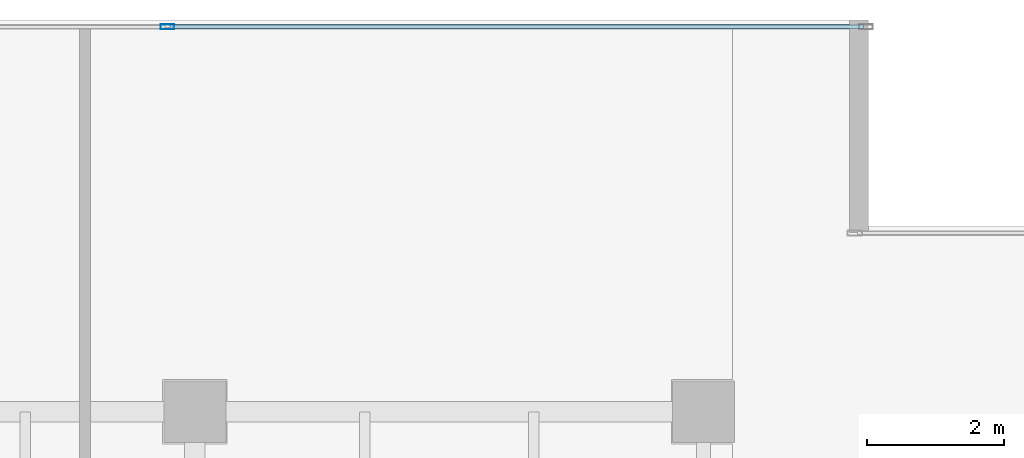
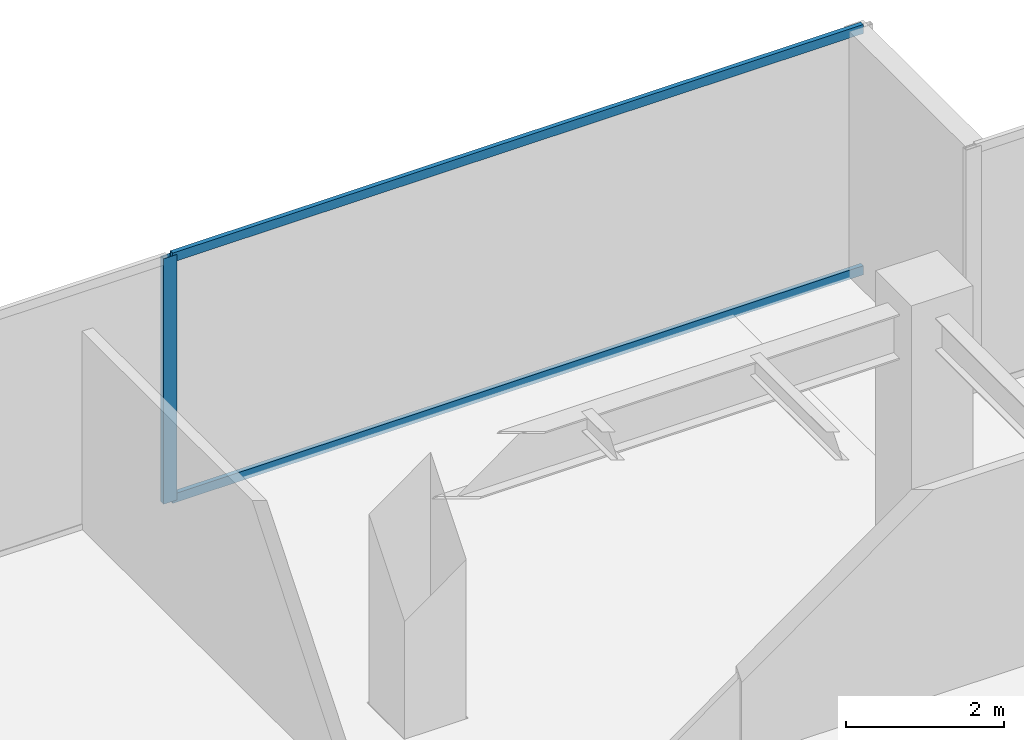
# One storey, part 20 of 33: 3 members, 1 element without a shape of its own.
"""IFC4 building model written with IfcOpenShell, lengths in metres."""

from ifc_helpers import new_model, si_unit, direction, frame, origin, origin_2d, place, context, subcontext, project, spatial, hollow_rectangle, extrude, source, transform, mapped, material, layer, layer_set, material_profile, profile_set, type_object, type_shapes, element, aggregate, save


model = new_model("IFC4")

# Units and contexts
model_context = context("Model", 3, precision=1e-05, world=origin(), true_north=direction((0.0, 1.0)))
body_context = subcontext(model_context, "Body", "Model", "MODEL_VIEW")
ifc_project = project(units=[si_unit("LENGTHUNIT", "METRE"), si_unit("AREAUNIT", "SQUARE_METRE"), si_unit("VOLUMEUNIT", "CUBIC_METRE"), si_unit("PLANEANGLEUNIT", "RADIAN"), si_unit("MASSUNIT", "GRAM", prefix="KILO")], contexts=[model_context])

# Site, building, storey
site_placement = place(None, origin())
site = spatial("IfcSite", under=ifc_project, at=site_placement, CompositionType="ELEMENT")
building_placement = place(site_placement, origin())
building = spatial("IfcBuilding", under=site, at=building_placement, Name="Haelvirn Gate Laboratories", CompositionType="ELEMENT")
storey_placement = place(building_placement, frame((0.0, 0.0, 166.60009765625)))
storey = spatial("IfcBuildingStorey", under=building, at=storey_placement, Name="L40", CompositionType="ELEMENT", Elevation=166.60009765625)

# Curtain wall, members
ifc_material_1 = material(Name="Anodised bronze unitised aluminium & triple low-E glass", Category="aluminium")
ifc_layer = layer(ifc_material_1, 0.179931640625, Name="CW-SYS-3")
ifc_layer_set = layer_set([ifc_layer], Name="Anodised bronze unitised aluminium & triple low-E glass")
curtain_wall_type = type_object("IfcCurtainWallType", Name="CW-SYS-3", PredefinedType="NOTDEFINED", material=ifc_layer_set)
curtain_wall_placement = place(storey_placement, origin())
curtain_wall = element("IfcCurtainWall", 1, at=curtain_wall_placement, inside=storey, type_object=curtain_wall_type, Name="L40 Unitised Curtain Wall CW-L40-P0-E10-1", PredefinedType="NOTDEFINED")
ifc_material_2 = material(Name="Extruded aluminium 6063-T6 (anodised bronze)", Category="aluminium")
ifc_material_profile_1 = material_profile(ifc_material_2, hollow_rectangle(XDim=0.06494140625, YDim=0.139892578125, WallThickness=0.00390625, at=origin_2d()), Name="CWT-140x65x4")
ifc_profile_set_1 = profile_set([ifc_material_profile_1], Name="Extruded aluminium 6063-T6 (anodised bronze)")
member_type_1 = type_object("IfcMemberType", Name="CWT-T140", PredefinedType="USERDEFINED", material=ifc_profile_set_1)
shared_shape_1 = source(origin(), body_context, "Body", "SweptSolid", [
    extrude(hollow_rectangle(XDim=0.06494140625, YDim=0.139892578125, WallThickness=0.00390625, at=origin_2d()), origin(), (0.0, 0.0, 1.0), 10.087646484375),
])
type_shapes(member_type_1, [shared_shape_1])
member_1_placement = place(storey_placement, frame((59.637451171875, 47.199951171875, 0.032470703125), z_axis=(1.0, 0.0, 0.0), x_axis=(0.0, 1.0, 0.0)))
member_1 = element("IfcMember", 2, at=member_1_placement, type_object=member_type_1, Name="CW3 transom 2.1", ObjectType="TRANSOM", PredefinedType="USERDEFINED", context=body_context, shape_type="MappedRepresentation", body=[
    mapped(shared_shape_1, transform((0.0, 0.0, 0.0), scale=1.0)),
])
member_2_placement = place(storey_placement, frame((59.637451171875, 47.199951171875, 3.75732421875), z_axis=(1.0, 0.0, 0.0), x_axis=(0.0, 1.0, 0.0)))
member_2 = element("IfcMember", 3, at=member_2_placement, type_object=member_type_1, Name="CW3 transom 2.2", ObjectType="TRANSOM", PredefinedType="USERDEFINED", context=body_context, shape_type="MappedRepresentation", body=[
    mapped(shared_shape_1, transform((0.0, 0.0, 0.0), scale=1.0)),
])
ifc_material_profile_2 = material_profile(ifc_material_2, hollow_rectangle(XDim=0.074951171875, YDim=0.199951171875, WallThickness=0.0048828125, at=origin_2d()), Name="CWM-200x75x5")
ifc_profile_set_2 = profile_set([ifc_material_profile_2], Name="Extruded aluminium 6063-T6 (anodised bronze)")
member_type_2 = type_object("IfcMemberType", Name="CWM-T200", PredefinedType="MULLION", material=ifc_profile_set_2)
shared_shape_2 = source(origin(), body_context, "Body", "SweptSolid", [
    extrude(hollow_rectangle(XDim=0.074951171875, YDim=0.199951171875, WallThickness=0.0048828125, at=origin_2d()), origin(), (0.0, 0.0, 1.0), 3.789794921875),
])
type_shapes(member_type_2, [shared_shape_2])
member_3_placement = place(storey_placement, frame((59.60009765625, 47.199951171875, 0.0), z_axis=(0.0, 0.0, 1.0), x_axis=(0.0, 1.0, 0.0)))
member_3 = element("IfcMember", 4, at=member_3_placement, type_object=member_type_2, Name="CW3 mullion 2", PredefinedType="MULLION", context=body_context, shape_type="MappedRepresentation", body=[
    mapped(shared_shape_2, transform((0.0, 0.0, 0.0), scale=1.0)),
])
aggregate(curtain_wall, [member_3, member_1, member_2])

save(model, "model.ifc")
